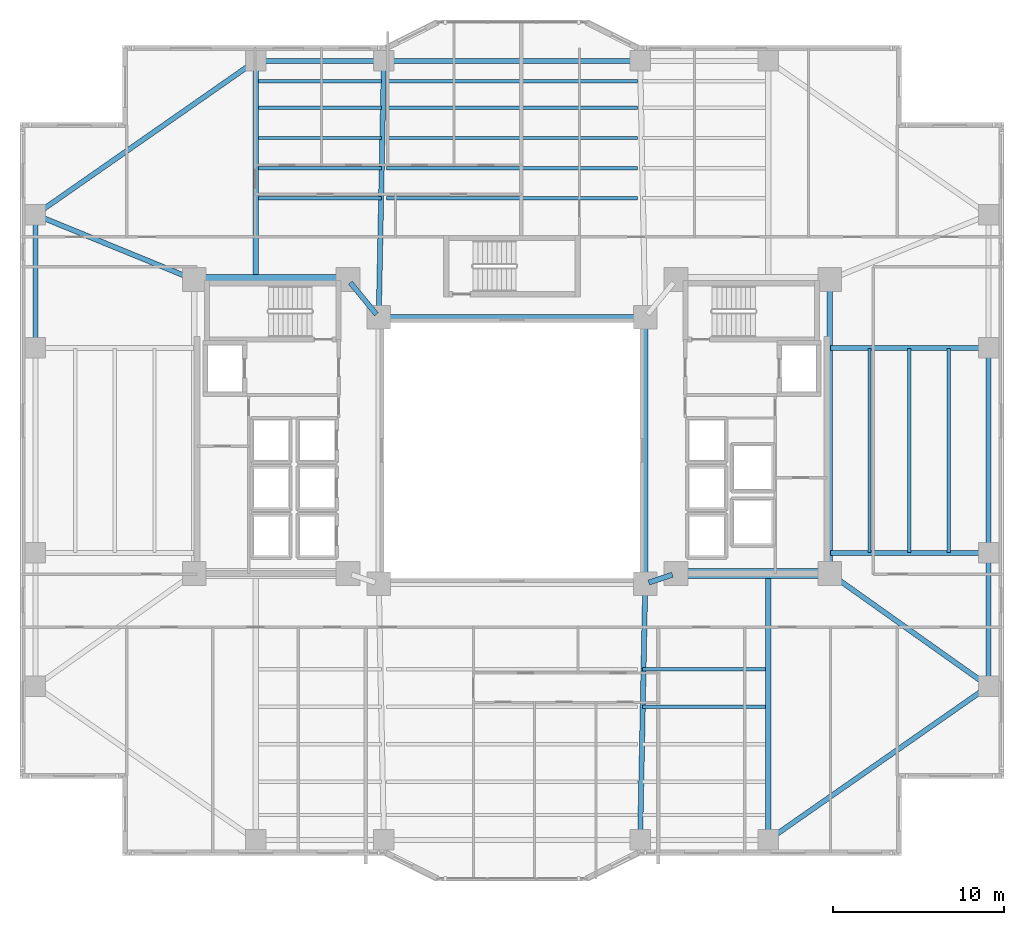
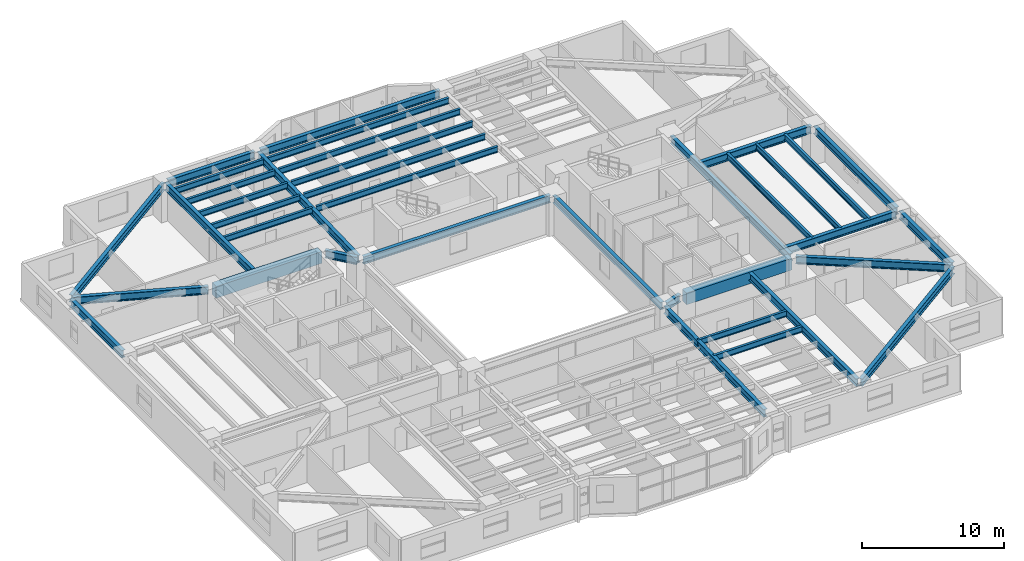
# One storey, part 5 of 19: 37 beams.
"""IFC4 building model written with IfcOpenShell, lengths in metres."""

from ifc_helpers import new_model, si_unit, direction, frame, origin, origin_2d, place, context, subcontext, project, spatial, rectangle, i_section, extrude, material, material_profile, profile_set, type_object, element, save


model = new_model("IFC4")

# Units and contexts
model_context = context("Model", 3, precision=1e-05, world=origin(), true_north=direction((0.0, 1.0)))
body_context = subcontext(model_context, "Body", "Model", "MODEL_VIEW")
ifc_project = project(units=[si_unit("LENGTHUNIT", "METRE"), si_unit("AREAUNIT", "SQUARE_METRE"), si_unit("VOLUMEUNIT", "CUBIC_METRE"), si_unit("PLANEANGLEUNIT", "RADIAN"), si_unit("MASSUNIT", "GRAM", prefix="KILO")], contexts=[model_context])

# Site, building, storey
site_placement = place(None, origin())
site = spatial("IfcSite", under=ifc_project, at=site_placement, CompositionType="ELEMENT")
building_placement = place(site_placement, origin())
building = spatial("IfcBuilding", under=site, at=building_placement, Name="Tarnavaz Court Tower", CompositionType="ELEMENT")
storey_placement = place(building_placement, frame((0.0, 0.0, 50.800048828125)))
storey = spatial("IfcBuildingStorey", under=building, at=storey_placement, Name="L13", CompositionType="ELEMENT", Elevation=50.800048828125)

# Beams
ifc_material_1 = material(Name="Concrete C60/75", Category="concrete")
ifc_material_profile_1 = material_profile(ifc_material_1, rectangle(XDim=0.60009765625, YDim=1.0, at=origin_2d()), Name="RC 600X1000")
ifc_profile_set_1 = profile_set([ifc_material_profile_1], Name="Concrete C60/75")
beam_type_1 = type_object("IfcBeamType", Name="BM-CB1000", PredefinedType="LINTEL", material=ifc_profile_set_1)
for number, where, z_axis, x_axis, name in (
    (1, (-18.3798828125, 10.0, 2.599853515625), (1.0, 0.0, 0.0), (0.0, 1.0, 0.0), "L13 Beam IN-CW-NO-CW-NI"),
    (2, (18.3798828125, -7.199951171875, 2.599853515625), (-1.0, 0.0, 0.0), (0.0, -1.0, 0.0), "L13 Beam IN-CE-SO-CE-SI"),
):
    element("IfcBeam", number, at=place(storey_placement, frame(where, z_axis=z_axis, x_axis=x_axis)), inside=storey, type_object=beam_type_1, Name=name, PredefinedType="LINTEL", context=body_context, shape_type="SweptSolid", body=[
        extrude(rectangle(XDim=0.60009765625, YDim=1.0, at=origin_2d()), origin(), (0.0, 0.0, 1.0), 8.559814453125),
    ])
ifc_material_2 = material(Name="Steel S355", Category="steel")
ifc_material_profile_2 = material_profile(ifc_material_2, i_section(OverallWidth=0.300048828125, OverallDepth=0.64990234375, WebThickness=0.01611328125, FlangeThickness=0.031005859375, FilletRadius=0.027099609375, at=origin_2d()), Name="HEB 650")
ifc_profile_set_2 = profile_set([ifc_material_profile_2], Name="Steel S355")
beam_type_2 = type_object("IfcBeamType", Name="BM-G-HEB650", PredefinedType="USERDEFINED", material=ifc_profile_set_2)
beam_1_placement = place(storey_placement, frame((9.391357421875, -7.26953125, 2.77490234375), z_axis=(-0.948666544706, -0.316278021615, 0.0), x_axis=(0.316278021615, -0.948666544706, 0.0)))
element("IfcBeam", 3, at=beam_1_placement, inside=storey, type_object=beam_type_2, Name="L13 Beam IN-CE-SI-IW-SE", ObjectType="GIRDER", PredefinedType="USERDEFINED", context=body_context, shape_type="SweptSolid", body=[
    extrude(i_section(OverallWidth=0.300048828125, OverallDepth=0.64990234375, WebThickness=0.01611328125, FlangeThickness=0.031005859375, FilletRadius=0.027099609375, at=origin_2d()), origin(), (0.0, 0.0, 1.0), 1.457275390625),
])
beam_2_placement = place(storey_placement, frame((-9.460693359375, 9.82958984375, 2.77490234375), z_axis=(0.633282058357, -0.773921077735, 0.0), x_axis=(0.773921077735, 0.633282058357, 0.0)))
element("IfcBeam", 4, at=beam_2_placement, inside=storey, type_object=beam_type_2, Name="L13 Beam IN-CW-NI-IW-NW", ObjectType="GIRDER", PredefinedType="USERDEFINED", context=body_context, shape_type="SweptSolid", body=[
    extrude(i_section(OverallWidth=0.300048828125, OverallDepth=0.64990234375, WebThickness=0.01611328125, FlangeThickness=0.031005859375, FilletRadius=0.027099609375, at=origin_2d()), origin(), (0.0, 0.0, 1.0), 2.402587890625),
])
beam_3_placement = place(storey_placement, frame((18.60009765625, -6.97998046875, 2.77490234375), z_axis=(0.0, 1.0, 0.0), x_axis=(-1.0, 0.0, 0.0)))
element("IfcBeam", 5, at=beam_3_placement, inside=storey, type_object=beam_type_2, Name="L13 Beam IN-CE-SO-CE-NO", ObjectType="GIRDER", PredefinedType="USERDEFINED", context=body_context, shape_type="SweptSolid", body=[
    extrude(i_section(OverallWidth=0.300048828125, OverallDepth=0.64990234375, WebThickness=0.01611328125, FlangeThickness=0.031005859375, FilletRadius=0.027099609375, at=origin_2d()), origin(), (0.0, 0.0, 1.0), 16.760009765625),
])
beam_4_placement = place(storey_placement, frame((-15.0, 10.0400390625, 2.77490234375), z_axis=(0.0, 1.0, 0.0), x_axis=(-1.0, 0.0, 0.0)))
element("IfcBeam", 6, at=beam_4_placement, inside=storey, type_object=beam_type_2, Name="L13 Beam RG-01", ObjectType="GIRDER", PredefinedType="USERDEFINED", context=body_context, shape_type="SweptSolid", body=[
    extrude(i_section(OverallWidth=0.300048828125, OverallDepth=0.64990234375, WebThickness=0.01611328125, FlangeThickness=0.031005859375, FilletRadius=0.027099609375, at=origin_2d()), origin(), (0.0, 0.0, 1.0), 12.5400390625),
])
for number, where, z_axis, x_axis, name in (
    (7, (-7.795654296875, 8.02001953125, 2.77490234375), (0.020000023066, 0.999799979535, 0.0), (-0.999799979535, 0.020000023066, 0.0), "L13 Beam RG-02"),
    (8, (7.795654296875, -8.02001953125, 2.77490234375), (-0.020000023066, -0.999799979535, 0.0), (0.999799979535, -0.020000023066, 0.0), "L13 Beam RG-07"),
):
    element("IfcBeam", number, at=place(storey_placement, frame(where, z_axis=z_axis, x_axis=x_axis)), inside=storey, type_object=beam_type_2, Name=name, ObjectType="GIRDER", PredefinedType="USERDEFINED", context=body_context, shape_type="SweptSolid", body=[
        extrude(i_section(OverallWidth=0.300048828125, OverallDepth=0.64990234375, WebThickness=0.01611328125, FlangeThickness=0.031005859375, FilletRadius=0.027099609375, at=origin_2d()), origin(), (0.0, 0.0, 1.0), 14.56298828125),
    ])
beam_5_placement = place(storey_placement, frame((15.0, -7.239990234375, 2.77490234375), z_axis=(0.0, -1.0, 0.0), x_axis=(1.0, 0.0, 0.0)))
element("IfcBeam", 9, at=beam_5_placement, inside=storey, type_object=beam_type_2, Name="L13 Beam RG-08", ObjectType="GIRDER", PredefinedType="USERDEFINED", context=body_context, shape_type="SweptSolid", body=[
    extrude(i_section(OverallWidth=0.300048828125, OverallDepth=0.64990234375, WebThickness=0.01611328125, FlangeThickness=0.031005859375, FilletRadius=0.027099609375, at=origin_2d()), origin(), (0.0, 0.0, 1.0), 15.340087890625),
])
for number, where, z_axis, x_axis, name in (
    (10, (18.639892578125, -6.0, 2.77490234375), (1.0, 0.0, 0.0), (0.0, 1.0, 0.0), "L13 Beam RG-09"),
    (11, (18.639892578125, 6.0, 2.77490234375), (1.0, 0.0, 0.0), (0.0, 1.0, 0.0), "L13 Beam RG-10"),
):
    element("IfcBeam", number, at=place(storey_placement, frame(where, z_axis=z_axis, x_axis=x_axis)), inside=storey, type_object=beam_type_2, Name=name, ObjectType="GIRDER", PredefinedType="USERDEFINED", context=body_context, shape_type="SweptSolid", body=[
        extrude(i_section(OverallWidth=0.300048828125, OverallDepth=0.64990234375, WebThickness=0.01611328125, FlangeThickness=0.031005859375, FilletRadius=0.027099609375, at=origin_2d()), origin(), (0.0, 0.0, 1.0), 9.0400390625),
    ])
beam_6_placement = place(storey_placement, frame((18.779296875, -7.327392578125, 2.77490234375), z_axis=(0.815520027245, -0.578728852886, 0.0), x_axis=(0.578728852886, 0.815520027245, 0.0)))
element("IfcBeam", 12, at=beam_6_placement, inside=storey, type_object=beam_type_2, Name="L13 Beam RG-11", ObjectType="GIRDER", PredefinedType="USERDEFINED", context=body_context, shape_type="SweptSolid", body=[
    extrude(i_section(OverallWidth=0.300048828125, OverallDepth=0.64990234375, WebThickness=0.01611328125, FlangeThickness=0.031005859375, FilletRadius=0.027099609375, at=origin_2d()), origin(), (0.0, 0.0, 1.0), 10.964111328125),
])
beam_7_placement = place(storey_placement, frame((-18.8037109375, 10.083251953125, 2.77490234375), z_axis=(-0.925704761705, 0.378246869329, 0.0), x_axis=(-0.378246869329, -0.925704761705, 0.0)))
element("IfcBeam", 13, at=beam_7_placement, inside=storey, type_object=beam_type_2, Name="L13 Beam RG-16", ObjectType="GIRDER", PredefinedType="USERDEFINED", context=body_context, shape_type="SweptSolid", body=[
    extrude(i_section(OverallWidth=0.300048828125, OverallDepth=0.64990234375, WebThickness=0.01611328125, FlangeThickness=0.031005859375, FilletRadius=0.027099609375, at=origin_2d()), origin(), (0.0, 0.0, 1.0), 9.606201171875),
])
ifc_material_profile_3 = material_profile(ifc_material_2, i_section(OverallWidth=0.199951171875, OverallDepth=0.5, WebThickness=0.01025390625, FlangeThickness=0.01611328125, FilletRadius=0.02099609375, at=origin_2d()), Name="IPE 500")
ifc_profile_set_3 = profile_set([ifc_material_profile_3], Name="Steel S355")
beam_type_3 = type_object("IfcBeamType", Name="BM-J-IPE500", PredefinedType="JOIST", material=ifc_profile_set_3)
beam_8_placement = place(storey_placement, frame((-14.85009765625, 14.763916015625, 2.849853515625), z_axis=(1.0, 0.0, 0.0), x_axis=(0.0, 1.0, 0.0)))
element("IfcBeam", 14, at=beam_8_placement, inside=storey, type_object=beam_type_3, Name="L13 Beam JN1-1", PredefinedType="JOIST", context=body_context, shape_type="SweptSolid", body=[
    extrude(i_section(OverallWidth=0.199951171875, OverallDepth=0.5, WebThickness=0.01025390625, FlangeThickness=0.01611328125, FilletRadius=0.02099609375, at=origin_2d()), origin(), (0.0, 0.0, 1.0), 7.2001953125),
])
beam_9_placement = place(storey_placement, frame((-7.35009765625, 14.763916015625, 2.849853515625), z_axis=(1.0, 0.0, 0.0), x_axis=(0.0, 1.0, 0.0)))
element("IfcBeam", 15, at=beam_9_placement, inside=storey, type_object=beam_type_3, Name="L13 Beam JN1-2", PredefinedType="JOIST", context=body_context, shape_type="SweptSolid", body=[
    extrude(i_section(OverallWidth=0.199951171875, OverallDepth=0.5, WebThickness=0.01025390625, FlangeThickness=0.01611328125, FilletRadius=0.02099609375, at=origin_2d()), origin(), (0.0, 0.0, 1.0), 14.7001953125),
])
for number, where, z_axis, x_axis, name in (
    (16, (7.64990234375, -12.7958984375, 2.849853515625), (1.0, 0.0, 0.0), (0.0, 1.0, 0.0), "L13 Beam JS1-3"),
    (17, (-14.85009765625, 16.528076171875, 2.849853515625), (1.0, 0.0, 0.0), (0.0, 1.0, 0.0), "L13 Beam JN2-1"),
):
    element("IfcBeam", number, at=place(storey_placement, frame(where, z_axis=z_axis, x_axis=x_axis)), inside=storey, type_object=beam_type_3, Name=name, PredefinedType="JOIST", context=body_context, shape_type="SweptSolid", body=[
        extrude(i_section(OverallWidth=0.199951171875, OverallDepth=0.5, WebThickness=0.01025390625, FlangeThickness=0.01611328125, FilletRadius=0.02099609375, at=origin_2d()), origin(), (0.0, 0.0, 1.0), 7.2001953125),
    ])
beam_10_placement = place(storey_placement, frame((-7.35009765625, 16.528076171875, 2.849853515625), z_axis=(1.0, 0.0, 0.0), x_axis=(0.0, 1.0, 0.0)))
element("IfcBeam", 18, at=beam_10_placement, inside=storey, type_object=beam_type_3, Name="L13 Beam JN2-2", PredefinedType="JOIST", context=body_context, shape_type="SweptSolid", body=[
    extrude(i_section(OverallWidth=0.199951171875, OverallDepth=0.5, WebThickness=0.01025390625, FlangeThickness=0.01611328125, FilletRadius=0.02099609375, at=origin_2d()), origin(), (0.0, 0.0, 1.0), 14.7001953125),
])
for number, where, z_axis, x_axis, name in (
    (19, (7.64990234375, -14.991943359375, 2.849853515625), (1.0, 0.0, 0.0), (0.0, 1.0, 0.0), "L13 Beam JS2-3"),
    (20, (-14.85009765625, 18.2919921875, 2.849853515625), (1.0, 0.0, 0.0), (0.0, 1.0, 0.0), "L13 Beam JN3-1"),
):
    element("IfcBeam", number, at=place(storey_placement, frame(where, z_axis=z_axis, x_axis=x_axis)), inside=storey, type_object=beam_type_3, Name=name, PredefinedType="JOIST", context=body_context, shape_type="SweptSolid", body=[
        extrude(i_section(OverallWidth=0.199951171875, OverallDepth=0.5, WebThickness=0.01025390625, FlangeThickness=0.01611328125, FilletRadius=0.02099609375, at=origin_2d()), origin(), (0.0, 0.0, 1.0), 7.2001953125),
    ])
beam_11_placement = place(storey_placement, frame((-7.35009765625, 18.2919921875, 2.849853515625), z_axis=(1.0, 0.0, 0.0), x_axis=(0.0, 1.0, 0.0)))
element("IfcBeam", 21, at=beam_11_placement, inside=storey, type_object=beam_type_3, Name="L13 Beam JN3-2", PredefinedType="JOIST", context=body_context, shape_type="SweptSolid", body=[
    extrude(i_section(OverallWidth=0.199951171875, OverallDepth=0.5, WebThickness=0.01025390625, FlangeThickness=0.01611328125, FilletRadius=0.02099609375, at=origin_2d()), origin(), (0.0, 0.0, 1.0), 14.7001953125),
])
beam_12_placement = place(storey_placement, frame((-14.85009765625, 20.055908203125, 2.849853515625), z_axis=(1.0, 0.0, 0.0), x_axis=(0.0, 1.0, 0.0)))
element("IfcBeam", 22, at=beam_12_placement, inside=storey, type_object=beam_type_3, Name="L13 Beam JN4-1", PredefinedType="JOIST", context=body_context, shape_type="SweptSolid", body=[
    extrude(i_section(OverallWidth=0.199951171875, OverallDepth=0.5, WebThickness=0.01025390625, FlangeThickness=0.01611328125, FilletRadius=0.02099609375, at=origin_2d()), origin(), (0.0, 0.0, 1.0), 7.2001953125),
])
beam_13_placement = place(storey_placement, frame((-7.35009765625, 20.055908203125, 2.849853515625), z_axis=(1.0, 0.0, 0.0), x_axis=(0.0, 1.0, 0.0)))
element("IfcBeam", 23, at=beam_13_placement, inside=storey, type_object=beam_type_3, Name="L13 Beam JN4-2", PredefinedType="JOIST", context=body_context, shape_type="SweptSolid", body=[
    extrude(i_section(OverallWidth=0.199951171875, OverallDepth=0.5, WebThickness=0.01025390625, FlangeThickness=0.01611328125, FilletRadius=0.02099609375, at=origin_2d()), origin(), (0.0, 0.0, 1.0), 14.7001953125),
])
beam_14_placement = place(storey_placement, frame((-14.85009765625, 21.6240234375, 2.849853515625), z_axis=(1.0, 0.0, 0.0), x_axis=(0.0, 1.0, 0.0)))
element("IfcBeam", 24, at=beam_14_placement, inside=storey, type_object=beam_type_3, Name="L13 Beam JN5-1", PredefinedType="JOIST", context=body_context, shape_type="SweptSolid", body=[
    extrude(i_section(OverallWidth=0.199951171875, OverallDepth=0.5, WebThickness=0.01025390625, FlangeThickness=0.01611328125, FilletRadius=0.02099609375, at=origin_2d()), origin(), (0.0, 0.0, 1.0), 7.2001953125),
])
beam_15_placement = place(storey_placement, frame((-7.35009765625, 21.6240234375, 2.849853515625), z_axis=(1.0, 0.0, 0.0), x_axis=(0.0, 1.0, 0.0)))
element("IfcBeam", 25, at=beam_15_placement, inside=storey, type_object=beam_type_3, Name="L13 Beam JN5-2", PredefinedType="JOIST", context=body_context, shape_type="SweptSolid", body=[
    extrude(i_section(OverallWidth=0.199951171875, OverallDepth=0.5, WebThickness=0.01025390625, FlangeThickness=0.01611328125, FilletRadius=0.02099609375, at=origin_2d()), origin(), (0.0, 0.0, 1.0), 14.7001953125),
])
for number, where, z_axis, x_axis, name in (
    (26, (20.925048828125, -5.9599609375, 2.849853515625), (0.0, 1.0, 0.0), (-1.0, 0.0, 0.0), "L13 Beam JE1"),
    (27, (23.25, -5.9599609375, 2.849853515625), (0.0, 1.0, 0.0), (-1.0, 0.0, 0.0), "L13 Beam JE2"),
    (28, (25.574951171875, -5.9599609375, 2.849853515625), (0.0, 1.0, 0.0), (-1.0, 0.0, 0.0), "L13 Beam JE3"),
):
    element("IfcBeam", number, at=place(storey_placement, frame(where, z_axis=z_axis, x_axis=x_axis)), inside=storey, type_object=beam_type_3, Name=name, PredefinedType="JOIST", context=body_context, shape_type="SweptSolid", body=[
        extrude(i_section(OverallWidth=0.199951171875, OverallDepth=0.5, WebThickness=0.01025390625, FlangeThickness=0.01611328125, FilletRadius=0.02099609375, at=origin_2d()), origin(), (0.0, 0.0, 1.0), 11.919921875),
    ])
ifc_material_profile_4 = material_profile(ifc_material_2, i_section(OverallWidth=0.300048828125, OverallDepth=0.639892578125, WebThickness=0.013427734375, FlangeThickness=0.02587890625, FilletRadius=0.027099609375, at=origin_2d()), Name="HEA 650")
ifc_profile_set_4 = profile_set([ifc_material_profile_4], Name="Steel S355")
beam_type_4 = type_object("IfcBeamType", Name="BM-SP-HEA650", PredefinedType="SPANDREL", material=ifc_profile_set_4)
for number, where, z_axis, x_axis, name in (
    (29, (-7.580078125, 7.800048828125, 2.780029296875), (1.0, 0.0, 0.0), (0.0, 1.0, 0.0), "L13 Beam IN-IW-NW-IW-NE"),
    (30, (7.800048828125, -7.580078125, 2.780029296875), (0.0, 1.0, 0.0), (-1.0, 0.0, 0.0), "L13 Beam IN-IW-SE-IW-NE"),
):
    element("IfcBeam", number, at=place(storey_placement, frame(where, z_axis=z_axis, x_axis=x_axis)), inside=storey, type_object=beam_type_4, Name=name, PredefinedType="SPANDREL", context=body_context, shape_type="SweptSolid", body=[
        extrude(i_section(OverallWidth=0.300048828125, OverallDepth=0.639892578125, WebThickness=0.013427734375, FlangeThickness=0.02587890625, FilletRadius=0.027099609375, at=origin_2d()), origin(), (0.0, 0.0, 1.0), 15.16015625),
    ])
beam_16_placement = place(storey_placement, frame((-14.780029296875, 22.800048828125, 2.780029296875), z_axis=(1.0, 0.0, 0.0), x_axis=(0.0, 1.0, 0.0)))
element("IfcBeam", 31, at=beam_16_placement, inside=storey, type_object=beam_type_4, Name="L13 Beam PR-PN-1-PN-2", PredefinedType="SPANDREL", context=body_context, shape_type="SweptSolid", body=[
    extrude(i_section(OverallWidth=0.300048828125, OverallDepth=0.639892578125, WebThickness=0.013427734375, FlangeThickness=0.02587890625, FilletRadius=0.027099609375, at=origin_2d()), origin(), (0.0, 0.0, 1.0), 7.06005859375),
])
beam_17_placement = place(storey_placement, frame((-7.280029296875, 22.800048828125, 2.780029296875), z_axis=(1.0, 0.0, 0.0), x_axis=(0.0, 1.0, 0.0)))
element("IfcBeam", 32, at=beam_17_placement, inside=storey, type_object=beam_type_4, Name="L13 Beam PR-PN-2-PN-3", PredefinedType="SPANDREL", context=body_context, shape_type="SweptSolid", body=[
    extrude(i_section(OverallWidth=0.300048828125, OverallDepth=0.639892578125, WebThickness=0.013427734375, FlangeThickness=0.02587890625, FilletRadius=0.027099609375, at=origin_2d()), origin(), (0.0, 0.0, 1.0), 14.56005859375),
])
beam_18_placement = place(storey_placement, frame((27.89990234375, -13.580078125, 2.780029296875), z_axis=(0.0, 1.0, 0.0), x_axis=(-1.0, 0.0, 0.0)))
element("IfcBeam", 33, at=beam_18_placement, inside=storey, type_object=beam_type_4, Name="L13 Beam PR-PE-1-PE-2", PredefinedType="SPANDREL", context=body_context, shape_type="SweptSolid", body=[
    extrude(i_section(OverallWidth=0.300048828125, OverallDepth=0.639892578125, WebThickness=0.013427734375, FlangeThickness=0.02587890625, FilletRadius=0.027099609375, at=origin_2d()), origin(), (0.0, 0.0, 1.0), 7.360107421875),
])
beam_19_placement = place(storey_placement, frame((27.89990234375, -5.780029296875, 2.780029296875), z_axis=(0.0, 1.0, 0.0), x_axis=(-1.0, 0.0, 0.0)))
element("IfcBeam", 34, at=beam_19_placement, inside=storey, type_object=beam_type_4, Name="L13 Beam PR-PE-2-PE-3", PredefinedType="SPANDREL", context=body_context, shape_type="SweptSolid", body=[
    extrude(i_section(OverallWidth=0.300048828125, OverallDepth=0.639892578125, WebThickness=0.013427734375, FlangeThickness=0.02587890625, FilletRadius=0.027099609375, at=origin_2d()), origin(), (0.0, 0.0, 1.0), 11.56005859375),
])
beam_20_placement = place(storey_placement, frame((-27.89990234375, 6.219970703125, 2.780029296875), z_axis=(0.0, 1.0, 0.0), x_axis=(-1.0, 0.0, 0.0)))
element("IfcBeam", 35, at=beam_20_placement, inside=storey, type_object=beam_type_4, Name="L13 Beam PR-PW-3-PW-4", PredefinedType="SPANDREL", context=body_context, shape_type="SweptSolid", body=[
    extrude(i_section(OverallWidth=0.300048828125, OverallDepth=0.639892578125, WebThickness=0.013427734375, FlangeThickness=0.02587890625, FilletRadius=0.027099609375, at=origin_2d()), origin(), (0.0, 0.0, 1.0), 7.360107421875),
])
for number, where, z_axis, x_axis, name in (
    (36, (27.719482421875, -13.92578125, 2.780029296875), (-0.820123643324, -0.572186341729, 0.0), (0.572186341729, -0.820123643324, 0.0), "L13 Beam PR-PE-1-PS-4"),
    (37, (-27.719482421875, 13.92578125, 2.780029296875), (0.820123643324, 0.572186341729, 0.0), (-0.572186341729, 0.820123643324, 0.0), "L13 Beam PR-PW-4-PN-1"),
):
    element("IfcBeam", number, at=place(storey_placement, frame(where, z_axis=z_axis, x_axis=x_axis)), inside=storey, type_object=beam_type_4, Name=name, PredefinedType="SPANDREL", context=body_context, shape_type="SweptSolid", body=[
        extrude(i_section(OverallWidth=0.300048828125, OverallDepth=0.639892578125, WebThickness=0.013427734375, FlangeThickness=0.02587890625, FilletRadius=0.027099609375, at=origin_2d()), origin(), (0.0, 0.0, 1.0), 15.289306640625),
    ])

save(model, "model.ifc")
